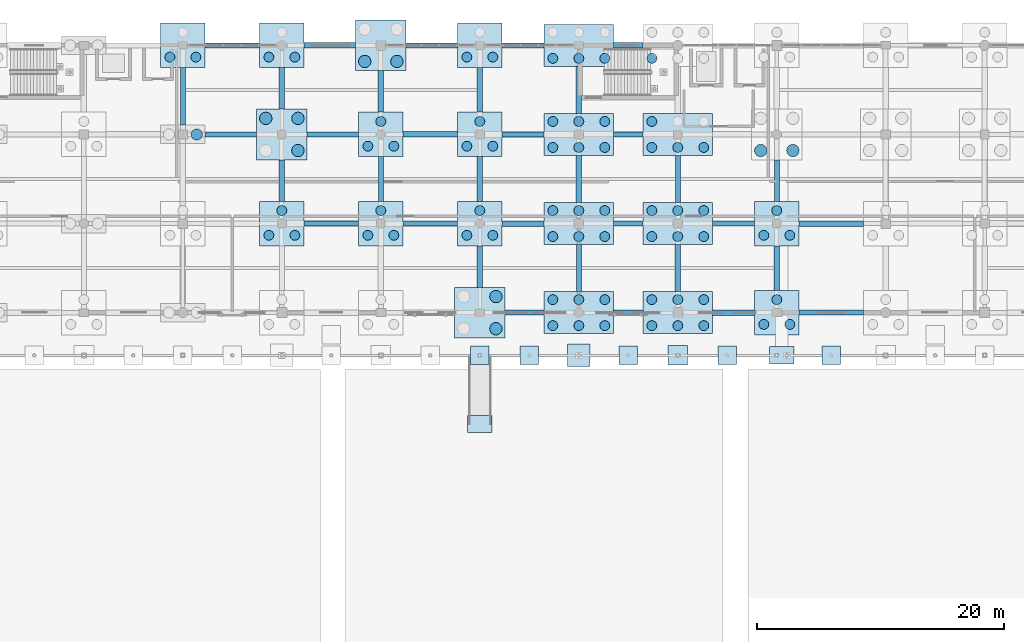
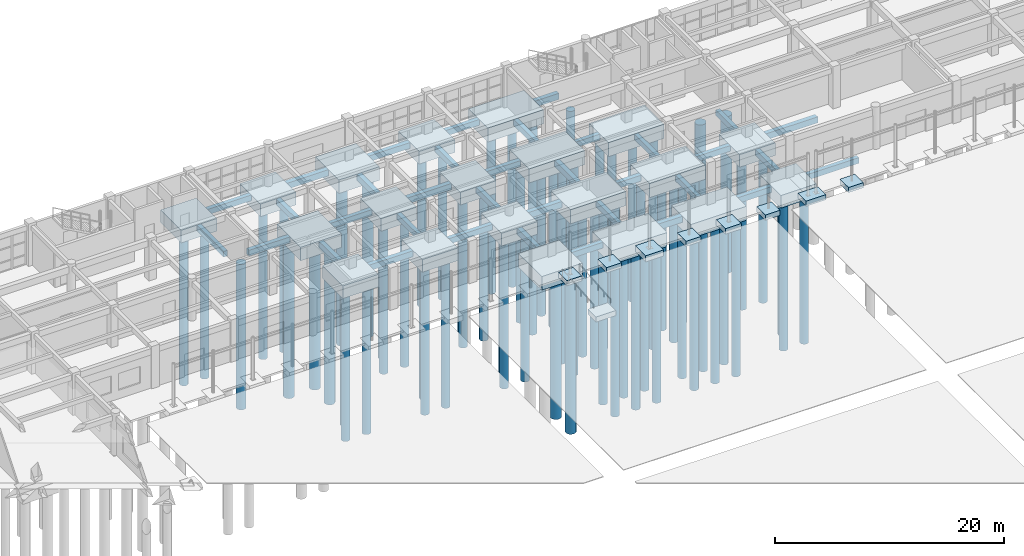
# One storey, part 5 of 166: 75 piles, 64 footings.
"""IFC4 building model written with IfcOpenShell, lengths in metres."""

from ifc_helpers import new_model, si_unit, direction, frame, origin, origin_2d, place, context, subcontext, project, spatial, rectangle, circle, extrude, material, material_profile, profile_set, type_object, element, save


model = new_model("IFC4")

# Units and contexts
model_context = context("Model", 3, precision=1e-05, world=origin(), true_north=direction((0.0, 1.0)))
body_context = subcontext(model_context, "Body", "Model", "MODEL_VIEW")
ifc_project = project(units=[si_unit("LENGTHUNIT", "METRE"), si_unit("AREAUNIT", "SQUARE_METRE"), si_unit("VOLUMEUNIT", "CUBIC_METRE"), si_unit("PLANEANGLEUNIT", "RADIAN"), si_unit("MASSUNIT", "GRAM", prefix="KILO")], contexts=[model_context])

# Site, building, storey
site_placement = place(None, origin())
site = spatial("IfcSite", under=ifc_project, at=site_placement, CompositionType="ELEMENT")
building_placement = place(site_placement, origin())
building = spatial("IfcBuilding", under=site, at=building_placement, Name="Kharva Crest Polytechnic", CompositionType="ELEMENT")
storey_placement = place(building_placement, origin())
storey = spatial("IfcBuildingStorey", under=building, at=storey_placement, Name="L00", CompositionType="ELEMENT", Elevation=0.0)

# Footings
ifc_material = material(Name="Concrete C35/45", Category="concrete")
footing_type_1 = type_object("IfcFootingType", Name="FTG-GB-400X600", PredefinedType="FOOTING_BEAM", material=ifc_material)
footing_1_placement = place(storey_placement, frame((99.625, 100.39990234375, -1.005126953125), z_axis=(0.0, 0.0, 1.0), x_axis=(1.0, 0.0, 0.0)))
element("IfcFooting", 1, at=footing_1_placement, inside=storey, type_object=footing_type_1, Name="L00 Ground Tie Beam P/13-14", PredefinedType="FOOTING_BEAM", context=body_context, shape_type="SweptSolid", body=[
    extrude(rectangle(XDim=3.14990234375, YDim=0.39990234375, at=origin_2d()), origin(), (0.0, 0.0, 1.0), 0.60009765625),
])
footing_2_placement = place(storey_placement, frame((124.39990234375, 100.39990234375, -1.005126953125), z_axis=(0.0, 0.0, 1.0), x_axis=(1.0, 0.0, 0.0)))
element("IfcFooting", 2, at=footing_2_placement, inside=storey, type_object=footing_type_1, Name="L00 Ground Tie Beam P/16-17", PredefinedType="FOOTING_BEAM", context=body_context, shape_type="SweptSolid", body=[
    extrude(rectangle(XDim=5.199951171875, YDim=0.39990234375, at=origin_2d()), origin(), (0.0, 0.0, 1.0), 0.60009765625),
])
footing_3_placement = place(storey_placement, frame((92.0, 107.60009765625, -1.005126953125), z_axis=(0.0, 0.0, 1.0), x_axis=(1.0, 0.0, 0.0)))
element("IfcFooting", 3, at=footing_3_placement, inside=storey, type_object=footing_type_1, Name="L00 Ground Tie Beam Q/12-13", PredefinedType="FOOTING_BEAM", context=body_context, shape_type="SweptSolid", body=[
    extrude(rectangle(XDim=4.39990234375, YDim=0.39990234375, at=origin_2d()), origin(), (0.0, 0.0, 1.0), 0.60009765625),
])
footing_4_placement = place(storey_placement, frame((116.5, 107.60009765625, -1.005126953125), z_axis=(0.0, 0.0, 1.0), x_axis=(1.0, 0.0, 0.0)))
element("IfcFooting", 4, at=footing_4_placement, inside=storey, type_object=footing_type_1, Name="L00 Ground Tie Beam Q/15-16", PredefinedType="FOOTING_BEAM", context=body_context, shape_type="SweptSolid", body=[
    extrude(rectangle(XDim=3.39990234375, YDim=0.39990234375, at=origin_2d()), origin(), (0.0, 0.0, 1.0), 0.60009765625),
])
footing_5_placement = place(storey_placement, frame((84.125, 114.800048828125, -1.005126953125), z_axis=(0.0, 0.0, 1.0), x_axis=(1.0, 0.0, 0.0)))
element("IfcFooting", 5, at=footing_5_placement, inside=storey, type_object=footing_type_1, Name="L00 Ground Tie Beam R/11-12", PredefinedType="FOOTING_BEAM", context=body_context, shape_type="SweptSolid", body=[
    extrude(rectangle(XDim=4.14990234375, YDim=0.39990234375, at=origin_2d()), origin(), (0.0, 0.0, 1.0), 0.60009765625),
])
footing_6_placement = place(storey_placement, frame((108.0, 114.800048828125, -1.005126953125), z_axis=(0.0, 0.0, 1.0), x_axis=(1.0, 0.0, 0.0)))
element("IfcFooting", 6, at=footing_6_placement, inside=storey, type_object=footing_type_1, Name="L00 Ground Tie Beam R/14-15", PredefinedType="FOOTING_BEAM", context=body_context, shape_type="SweptSolid", body=[
    extrude(rectangle(XDim=2.39990234375, YDim=0.39990234375, at=origin_2d()), origin(), (0.0, 0.0, 1.0), 0.60009765625),
])
footing_7_placement = place(storey_placement, frame((76.0, 122.0, -1.005126953125), z_axis=(0.0, 0.0, 1.0), x_axis=(1.0, 0.0, 0.0)))
element("IfcFooting", 7, at=footing_7_placement, inside=storey, type_object=footing_type_1, Name="L00 Ground Tie Beam S/10-11", PredefinedType="FOOTING_BEAM", context=body_context, shape_type="SweptSolid", body=[
    extrude(rectangle(XDim=4.39990234375, YDim=0.39990234375, at=origin_2d()), origin(), (0.0, 0.0, 1.0), 0.60009765625),
])
footing_8_placement = place(storey_placement, frame((99.5, 122.0, -1.005126953125), z_axis=(0.0, 0.0, 1.0), x_axis=(1.0, 0.0, 0.0)))
element("IfcFooting", 8, at=footing_8_placement, inside=storey, type_object=footing_type_1, Name="L00 Ground Tie Beam S/13-14", PredefinedType="FOOTING_BEAM", context=body_context, shape_type="SweptSolid", body=[
    extrude(rectangle(XDim=3.39990234375, YDim=0.39990234375, at=origin_2d()), origin(), (0.0, 0.0, 1.0), 0.60009765625),
])
footing_9_placement = place(storey_placement, frame((72.0, 117.875, -1.005126953125), z_axis=(0.0, 0.0, 1.0), x_axis=(0.0, 1.0, 0.0)))
element("IfcFooting", 9, at=footing_9_placement, inside=storey, type_object=footing_type_1, Name="L00 Ground Tie Beam 10/R-S", PredefinedType="FOOTING_BEAM", context=body_context, shape_type="SweptSolid", body=[
    extrude(rectangle(XDim=4.64990234375, YDim=0.39990234375, at=origin_2d()), origin(), (0.0, 0.0, 1.0), 0.60009765625),
])
for number, where, z_axis, x_axis, name in (
    (10, (88.0, 111.199951171875, -1.005126953125), (0.0, 0.0, 1.0), (0.0, 1.0, 0.0), "L00 Ground Tie Beam 12/Q-R"),
    (11, (96.0, 118.39990234375, -1.005126953125), (0.0, 0.0, 1.0), (0.0, 1.0, 0.0), "L00 Ground Tie Beam 13/R-S"),
):
    element("IfcFooting", number, at=place(storey_placement, frame(where, z_axis=z_axis, x_axis=x_axis)), inside=storey, type_object=footing_type_1, Name=name, PredefinedType="FOOTING_BEAM", context=body_context, shape_type="SweptSolid", body=[
        extrude(rectangle(XDim=3.60009765625, YDim=0.39990234375, at=origin_2d()), origin(), (0.0, 0.0, 1.0), 0.60009765625),
    ])
for number, where, z_axis, x_axis, name in (
    (12, (104.0, 104.0, -1.005126953125), (0.0, 0.0, 1.0), (0.0, 1.0, 0.0), "L00 Ground Tie Beam 14/P-Q"),
    (13, (112.0, 111.199951171875, -1.005126953125), (0.0, 0.0, 1.0), (0.0, 1.0, 0.0), "L00 Ground Tie Beam 15/Q-R"),
):
    element("IfcFooting", number, at=place(storey_placement, frame(where, z_axis=z_axis, x_axis=x_axis)), inside=storey, type_object=footing_type_1, Name=name, PredefinedType="FOOTING_BEAM", context=body_context, shape_type="SweptSolid", body=[
        extrude(rectangle(XDim=3.800048828125, YDim=0.39990234375, at=origin_2d()), origin(), (0.0, 0.0, 1.0), 0.60009765625),
    ])
footing_10_placement = place(storey_placement, frame((120.0, 111.074951171875, -1.005126953125), z_axis=(0.0, 0.0, 1.0), x_axis=(0.0, 1.0, 0.0)))
element("IfcFooting", 14, at=footing_10_placement, inside=storey, type_object=footing_type_1, Name="L00 Ground Tie Beam 16/Q-R", PredefinedType="FOOTING_BEAM", context=body_context, shape_type="SweptSolid", body=[
    extrude(rectangle(XDim=3.35009765625, YDim=0.39990234375, at=origin_2d()), origin(), (0.0, 0.0, 1.0), 0.60009765625),
])
footing_type_2 = type_object("IfcFootingType", Name="FTG-GB-420X620", PredefinedType="FOOTING_BEAM", material=ifc_material)
footing_11_placement = place(storey_placement, frame((116.5, 100.39990234375, -1.025146484375), z_axis=(0.0, 0.0, 1.0), x_axis=(1.0, 0.0, 0.0)))
element("IfcFooting", 15, at=footing_11_placement, inside=storey, type_object=footing_type_2, Name="L00 Ground Tie Beam P/15-16", PredefinedType="FOOTING_BEAM", context=body_context, shape_type="SweptSolid", body=[
    extrude(rectangle(XDim=3.39990234375, YDim=0.419921875, at=origin_2d()), origin(), (0.0, 0.0, 1.0), 0.6201171875),
])
footing_12_placement = place(storey_placement, frame((84.0, 107.60009765625, -1.025146484375), z_axis=(0.0, 0.0, 1.0), x_axis=(1.0, 0.0, 0.0)))
element("IfcFooting", 16, at=footing_12_placement, inside=storey, type_object=footing_type_2, Name="L00 Ground Tie Beam Q/11-12", PredefinedType="FOOTING_BEAM", context=body_context, shape_type="SweptSolid", body=[
    extrude(rectangle(XDim=4.39990234375, YDim=0.419921875, at=origin_2d()), origin(), (0.0, 0.0, 1.0), 0.6201171875),
])
footing_13_placement = place(storey_placement, frame((108.0, 107.60009765625, -1.025146484375), z_axis=(0.0, 0.0, 1.0), x_axis=(1.0, 0.0, 0.0)))
element("IfcFooting", 17, at=footing_13_placement, inside=storey, type_object=footing_type_2, Name="L00 Ground Tie Beam Q/14-15", PredefinedType="FOOTING_BEAM", context=body_context, shape_type="SweptSolid", body=[
    extrude(rectangle(XDim=2.39990234375, YDim=0.419921875, at=origin_2d()), origin(), (0.0, 0.0, 1.0), 0.6201171875),
])
footing_14_placement = place(storey_placement, frame((75.875, 114.800048828125, -1.025146484375), z_axis=(0.0, 0.0, 1.0), x_axis=(1.0, 0.0, 0.0)))
element("IfcFooting", 18, at=footing_14_placement, inside=storey, type_object=footing_type_2, Name="L00 Ground Tie Beam R/10-11", PredefinedType="FOOTING_BEAM", context=body_context, shape_type="SweptSolid", body=[
    extrude(rectangle(XDim=4.14990234375, YDim=0.419921875, at=origin_2d()), origin(), (0.0, 0.0, 1.0), 0.6201171875),
])
footing_15_placement = place(storey_placement, frame((99.5, 114.800048828125, -1.025146484375), z_axis=(0.0, 0.0, 1.0), x_axis=(1.0, 0.0, 0.0)))
element("IfcFooting", 19, at=footing_15_placement, inside=storey, type_object=footing_type_2, Name="L00 Ground Tie Beam R/13-14", PredefinedType="FOOTING_BEAM", context=body_context, shape_type="SweptSolid", body=[
    extrude(rectangle(XDim=3.39990234375, YDim=0.419921875, at=origin_2d()), origin(), (0.0, 0.0, 1.0), 0.6201171875),
])
footing_16_placement = place(storey_placement, frame((92.125, 122.0, -1.025146484375), z_axis=(0.0, 0.0, 1.0), x_axis=(1.0, 0.0, 0.0)))
element("IfcFooting", 20, at=footing_16_placement, inside=storey, type_object=footing_type_2, Name="L00 Ground Tie Beam S/12-13", PredefinedType="FOOTING_BEAM", context=body_context, shape_type="SweptSolid", body=[
    extrude(rectangle(XDim=4.14990234375, YDim=0.419921875, at=origin_2d()), origin(), (0.0, 0.0, 1.0), 0.6201171875),
])
footing_17_placement = place(storey_placement, frame((80.0, 118.52490234375, -1.025146484375), z_axis=(0.0, 0.0, 1.0), x_axis=(0.0, 1.0, 0.0)))
element("IfcFooting", 21, at=footing_17_placement, inside=storey, type_object=footing_type_2, Name="L00 Ground Tie Beam 11/R-S", PredefinedType="FOOTING_BEAM", context=body_context, shape_type="SweptSolid", body=[
    extrude(rectangle(XDim=3.35009765625, YDim=0.419921875, at=origin_2d()), origin(), (0.0, 0.0, 1.0), 0.6201171875),
])
footing_18_placement = place(storey_placement, frame((96.0, 111.199951171875, -1.025146484375), z_axis=(0.0, 0.0, 1.0), x_axis=(0.0, 1.0, 0.0)))
element("IfcFooting", 22, at=footing_18_placement, inside=storey, type_object=footing_type_2, Name="L00 Ground Tie Beam 13/Q-R", PredefinedType="FOOTING_BEAM", context=body_context, shape_type="SweptSolid", body=[
    extrude(rectangle(XDim=3.60009765625, YDim=0.419921875, at=origin_2d()), origin(), (0.0, 0.0, 1.0), 0.6201171875),
])
for number, where, z_axis, x_axis, name in (
    (23, (104.0, 118.39990234375, -1.025146484375), (0.0, 0.0, 1.0), (0.0, 1.0, 0.0), "L00 Ground Tie Beam 14/R-S"),
    (24, (112.0, 104.0, -1.025146484375), (0.0, 0.0, 1.0), (0.0, 1.0, 0.0), "L00 Ground Tie Beam 15/P-Q"),
):
    element("IfcFooting", number, at=place(storey_placement, frame(where, z_axis=z_axis, x_axis=x_axis)), inside=storey, type_object=footing_type_2, Name=name, PredefinedType="FOOTING_BEAM", context=body_context, shape_type="SweptSolid", body=[
        extrude(rectangle(XDim=3.800048828125, YDim=0.419921875, at=origin_2d()), origin(), (0.0, 0.0, 1.0), 0.6201171875),
    ])
footing_19_placement = place(storey_placement, frame((120.0, 104.0, -1.025146484375), z_axis=(0.0, 0.0, 1.0), x_axis=(0.0, 1.0, 0.0)))
element("IfcFooting", 25, at=footing_19_placement, inside=storey, type_object=footing_type_2, Name="L00 Ground Tie Beam 16/P-Q", PredefinedType="FOOTING_BEAM", context=body_context, shape_type="SweptSolid", body=[
    extrude(rectangle(XDim=3.60009765625, YDim=0.419921875, at=origin_2d()), origin(), (0.0, 0.0, 1.0), 0.6201171875),
])
footing_type_3 = type_object("IfcFootingType", Name="FTG-GB-450X650", PredefinedType="FOOTING_BEAM", material=ifc_material)
footing_20_placement = place(storey_placement, frame((108.0, 100.39990234375, -1.054931640625), z_axis=(0.0, 0.0, 1.0), x_axis=(1.0, 0.0, 0.0)))
element("IfcFooting", 26, at=footing_20_placement, inside=storey, type_object=footing_type_3, Name="L00 Ground Tie Beam P/14-15", PredefinedType="FOOTING_BEAM", context=body_context, shape_type="SweptSolid", body=[
    extrude(rectangle(XDim=2.39990234375, YDim=0.449951171875, at=origin_2d()), origin(), (0.0, 0.0, 1.0), 0.64990234375),
])
footing_21_placement = place(storey_placement, frame((99.5, 107.60009765625, -1.054931640625), z_axis=(0.0, 0.0, 1.0), x_axis=(1.0, 0.0, 0.0)))
element("IfcFooting", 27, at=footing_21_placement, inside=storey, type_object=footing_type_3, Name="L00 Ground Tie Beam Q/13-14", PredefinedType="FOOTING_BEAM", context=body_context, shape_type="SweptSolid", body=[
    extrude(rectangle(XDim=3.39990234375, YDim=0.449951171875, at=origin_2d()), origin(), (0.0, 0.0, 1.0), 0.64990234375),
])
footing_22_placement = place(storey_placement, frame((124.39990234375, 107.60009765625, -1.054931640625), z_axis=(0.0, 0.0, 1.0), x_axis=(1.0, 0.0, 0.0)))
element("IfcFooting", 28, at=footing_22_placement, inside=storey, type_object=footing_type_3, Name="L00 Ground Tie Beam Q/16-17", PredefinedType="FOOTING_BEAM", context=body_context, shape_type="SweptSolid", body=[
    extrude(rectangle(XDim=5.199951171875, YDim=0.449951171875, at=origin_2d()), origin(), (0.0, 0.0, 1.0), 0.64990234375),
])
footing_23_placement = place(storey_placement, frame((92.0, 114.800048828125, -1.054931640625), z_axis=(0.0, 0.0, 1.0), x_axis=(1.0, 0.0, 0.0)))
element("IfcFooting", 29, at=footing_23_placement, inside=storey, type_object=footing_type_3, Name="L00 Ground Tie Beam R/12-13", PredefinedType="FOOTING_BEAM", context=body_context, shape_type="SweptSolid", body=[
    extrude(rectangle(XDim=4.39990234375, YDim=0.449951171875, at=origin_2d()), origin(), (0.0, 0.0, 1.0), 0.64990234375),
])
footing_24_placement = place(storey_placement, frame((83.875, 122.0, -1.054931640625), z_axis=(0.0, 0.0, 1.0), x_axis=(1.0, 0.0, 0.0)))
element("IfcFooting", 30, at=footing_24_placement, inside=storey, type_object=footing_type_3, Name="L00 Ground Tie Beam S/11-12", PredefinedType="FOOTING_BEAM", context=body_context, shape_type="SweptSolid", body=[
    extrude(rectangle(XDim=4.14990234375, YDim=0.449951171875, at=origin_2d()), origin(), (0.0, 0.0, 1.0), 0.64990234375),
])
footing_25_placement = place(storey_placement, frame((108.0, 122.0, -1.054931640625), z_axis=(0.0, 0.0, 1.0), x_axis=(1.0, 0.0, 0.0)))
element("IfcFooting", 31, at=footing_25_placement, inside=storey, type_object=footing_type_3, Name="L00 Ground Tie Beam S/14-15", PredefinedType="FOOTING_BEAM", context=body_context, shape_type="SweptSolid", body=[
    extrude(rectangle(XDim=2.39990234375, YDim=0.449951171875, at=origin_2d()), origin(), (0.0, 0.0, 1.0), 0.64990234375),
])
for number, where, z_axis, x_axis, name in (
    (32, (80.0, 111.074951171875, -1.054931640625), (0.0, 0.0, 1.0), (0.0, 1.0, 0.0), "L00 Ground Tie Beam 11/Q-R"),
    (33, (88.0, 118.27490234375, -1.054931640625), (0.0, 0.0, 1.0), (0.0, 1.0, 0.0), "L00 Ground Tie Beam 12/R-S"),
    (34, (96.0, 104.125, -1.054931640625), (0.0, 0.0, 1.0), (0.0, 1.0, 0.0), "L00 Ground Tie Beam 13/P-Q"),
):
    element("IfcFooting", number, at=place(storey_placement, frame(where, z_axis=z_axis, x_axis=x_axis)), inside=storey, type_object=footing_type_3, Name=name, PredefinedType="FOOTING_BEAM", context=body_context, shape_type="SweptSolid", body=[
        extrude(rectangle(XDim=3.35009765625, YDim=0.449951171875, at=origin_2d()), origin(), (0.0, 0.0, 1.0), 0.64990234375),
    ])
footing_26_placement = place(storey_placement, frame((104.0, 111.199951171875, -1.054931640625), z_axis=(0.0, 0.0, 1.0), x_axis=(0.0, 1.0, 0.0)))
element("IfcFooting", 35, at=footing_26_placement, inside=storey, type_object=footing_type_3, Name="L00 Ground Tie Beam 14/Q-R", PredefinedType="FOOTING_BEAM", context=body_context, shape_type="SweptSolid", body=[
    extrude(rectangle(XDim=3.800048828125, YDim=0.449951171875, at=origin_2d()), origin(), (0.0, 0.0, 1.0), 0.64990234375),
])
footing_type_4 = type_object("IfcFootingType", Name="FTG-PAD-1500X1500", PredefinedType="PAD_FOOTING", material=ifc_material)
for number, where, z_axis, x_axis, name in (
    (36, (96.0, 96.949951171875, -0.5498046875), (0.0, 0.0, 1.0), (1.0, 0.0, 0.0), "L00 Colonnade Pad Footing VN06"),
    (37, (100.0, 96.949951171875, -0.5498046875), (0.0, 0.0, 1.0), (1.0, 0.0, 0.0), "L00 Colonnade Mid Pad Footing VNM06"),
    (38, (108.0, 96.949951171875, -0.5498046875), (0.0, 0.0, 1.0), (1.0, 0.0, 0.0), "L00 Colonnade Mid Pad Footing VNM07"),
    (39, (116.0, 96.949951171875, -0.5498046875), (0.0, 0.0, 1.0), (1.0, 0.0, 0.0), "L00 Colonnade Mid Pad Footing VNM08"),
    (40, (124.39990234375, 96.949951171875, -0.5498046875), (0.0, 0.0, 1.0), (1.0, 0.0, 0.0), "L00 Colonnade Mid Pad Footing VNM09"),
):
    element("IfcFooting", number, at=place(storey_placement, frame(where, z_axis=z_axis, x_axis=x_axis)), inside=storey, type_object=footing_type_4, Name=name, PredefinedType="PAD_FOOTING", context=body_context, shape_type="SweptSolid", body=[
        extrude(rectangle(XDim=1.5, YDim=1.5, at=origin_2d()), origin(), (0.0, 0.0, 1.0), 0.550048828125),
    ])
footing_type_5 = type_object("IfcFootingType", Name="FTG-PAD-1600X1600", PredefinedType="PAD_FOOTING", material=ifc_material)
footing_27_placement = place(storey_placement, frame((112.0, 96.949951171875, -0.60009765625), z_axis=(0.0, 0.0, 1.0), x_axis=(1.0, 0.0, 0.0)))
element("IfcFooting", 41, at=footing_27_placement, inside=storey, type_object=footing_type_5, Name="L00 Colonnade Pad Footing VN08", PredefinedType="PAD_FOOTING", context=body_context, shape_type="SweptSolid", body=[
    extrude(rectangle(XDim=1.60009765625, YDim=1.60009765625, at=origin_2d()), origin(), (0.0, 0.0, 1.0), 0.60009765625),
])
footing_type_6 = type_object("IfcFootingType", Name="FTG-PAD-1800X1800", PredefinedType="PAD_FOOTING", material=ifc_material)
footing_28_placement = place(storey_placement, frame((104.0, 96.949951171875, -0.64990234375), z_axis=(0.0, 0.0, 1.0), x_axis=(1.0, 0.0, 0.0)))
element("IfcFooting", 42, at=footing_28_placement, inside=storey, type_object=footing_type_6, Name="L00 Colonnade Pad Footing VN07", PredefinedType="PAD_FOOTING", context=body_context, shape_type="SweptSolid", body=[
    extrude(rectangle(XDim=1.800048828125, YDim=1.800048828125, at=origin_2d()), origin(), (0.0, 0.0, 1.0), 0.64990234375),
])
footing_type_7 = type_object("IfcFootingType", Name="FTG-PAD-2000X1400", PredefinedType="PAD_FOOTING", material=ifc_material)
for number, where, z_axis, x_axis, name in (
    (43, (96.0, 91.39990234375, -1.0), (0.0, 0.0, 1.0), (1.0, 0.0, 0.0), "L00 Ramp Toe Pad Footing RMP-CT-N"),
    (44, (120.39990234375, 96.949951171875, -0.5498046875), (0.0, 0.0, 1.0), (1.0, 0.0, 0.0), "L00 Colonnade Combined Pad Footing VN09"),
):
    element("IfcFooting", number, at=place(storey_placement, frame(where, z_axis=z_axis, x_axis=x_axis)), inside=storey, type_object=footing_type_7, Name=name, PredefinedType="PAD_FOOTING", context=body_context, shape_type="SweptSolid", body=[
        extrude(rectangle(XDim=2.0, YDim=1.39990234375, at=origin_2d()), origin(), (0.0, 0.0, 1.0), 0.550048828125),
    ])
footing_type_8 = type_object("IfcFootingType", Name="FTG-PC-3600X3600", PredefinedType="PILE_CAP", material=ifc_material)
for number, where, z_axis, x_axis, name in (
    (45, (72.0, 122.0, -1.755126953125), (0.0, 0.0, 1.0), (1.0, 0.0, 0.0), "L00 Pile Cap 10/S"),
    (46, (80.0, 107.60009765625, -1.755126953125), (0.0, 0.0, 1.0), (1.0, 0.0, 0.0), "L00 Pile Cap 11/Q"),
    (47, (80.0, 122.0, -1.755126953125), (0.0, 0.0, 1.0), (1.0, 0.0, 0.0), "L00 Pile Cap 11/S"),
    (48, (88.0, 107.60009765625, -1.755126953125), (0.0, 0.0, 1.0), (1.0, 0.0, 0.0), "L00 Pile Cap 12/Q"),
    (49, (88.0, 114.800048828125, -1.755126953125), (0.0, 0.0, 1.0), (1.0, 0.0, 0.0), "L00 Pile Cap 12/R"),
    (50, (96.0, 107.60009765625, -1.755126953125), (0.0, 0.0, 1.0), (1.0, 0.0, 0.0), "L00 Pile Cap 13/Q"),
    (51, (96.0, 114.800048828125, -1.755126953125), (0.0, 0.0, 1.0), (1.0, 0.0, 0.0), "L00 Pile Cap 13/R"),
    (52, (96.0, 122.0, -1.755126953125), (0.0, 0.0, 1.0), (1.0, 0.0, 0.0), "L00 Pile Cap 13/S"),
    (53, (120.0, 100.39990234375, -1.755126953125), (0.0, 0.0, 1.0), (1.0, 0.0, 0.0), "L00 Pile Cap 16/P"),
    (54, (120.0, 107.60009765625, -1.755126953125), (0.0, 0.0, 1.0), (1.0, 0.0, 0.0), "L00 Pile Cap 16/Q"),
):
    element("IfcFooting", number, at=place(storey_placement, frame(where, z_axis=z_axis, x_axis=x_axis)), inside=storey, type_object=footing_type_8, Name=name, PredefinedType="PILE_CAP", context=body_context, shape_type="SweptSolid", body=[
        extrude(rectangle(XDim=3.60009765625, YDim=3.60009765625, at=origin_2d()), origin(), (0.0, 0.0, 1.0), 1.35009765625),
    ])
footing_type_9 = type_object("IfcFootingType", Name="FTG-PC-4100X4100", PredefinedType="PILE_CAP", material=ifc_material)
for number, where, z_axis, x_axis, name in (
    (55, (80.0, 114.800048828125, -1.85498046875), (0.0, 0.0, 1.0), (1.0, 0.0, 0.0), "L00 Pile Cap 11/R"),
    (56, (88.0, 122.0, -1.85498046875), (0.0, 0.0, 1.0), (1.0, 0.0, 0.0), "L00 Pile Cap 12/S"),
    (57, (96.0, 100.39990234375, -1.85498046875), (0.0, 0.0, 1.0), (1.0, 0.0, 0.0), "L00 Pile Cap 13/P"),
):
    element("IfcFooting", number, at=place(storey_placement, frame(where, z_axis=z_axis, x_axis=x_axis)), inside=storey, type_object=footing_type_9, Name=name, PredefinedType="PILE_CAP", context=body_context, shape_type="SweptSolid", body=[
        extrude(rectangle(XDim=4.10009765625, YDim=4.10009765625, at=origin_2d()), origin(), (0.0, 0.0, 1.0), 1.449951171875),
    ])
footing_type_10 = type_object("IfcFootingType", Name="FTG-PC-5600X3400", PredefinedType="PILE_CAP", material=ifc_material)
for number, where, z_axis, x_axis, name in (
    (58, (104.0, 100.39990234375, -1.905029296875), (0.0, 0.0, 1.0), (1.0, 0.0, 0.0), "L00 Pile Cap 14/P"),
    (59, (104.0, 107.60009765625, -1.905029296875), (0.0, 0.0, 1.0), (1.0, 0.0, 0.0), "L00 Pile Cap 14/Q"),
    (60, (104.0, 114.800048828125, -1.905029296875), (0.0, 0.0, 1.0), (1.0, 0.0, 0.0), "L00 Pile Cap 14/R"),
    (61, (104.0, 122.0, -1.905029296875), (0.0, 0.0, 1.0), (1.0, 0.0, 0.0), "L00 Pile Cap 14/S"),
    (62, (112.0, 100.39990234375, -1.905029296875), (0.0, 0.0, 1.0), (1.0, 0.0, 0.0), "L00 Pile Cap 15/P"),
    (63, (112.0, 107.60009765625, -1.905029296875), (0.0, 0.0, 1.0), (1.0, 0.0, 0.0), "L00 Pile Cap 15/Q"),
    (64, (112.0, 114.800048828125, -1.905029296875), (0.0, 0.0, 1.0), (1.0, 0.0, 0.0), "L00 Pile Cap 15/R"),
):
    element("IfcFooting", number, at=place(storey_placement, frame(where, z_axis=z_axis, x_axis=x_axis)), inside=storey, type_object=footing_type_10, Name=name, PredefinedType="PILE_CAP", context=body_context, shape_type="SweptSolid", body=[
        extrude(rectangle(XDim=5.60009765625, YDim=3.39990234375, at=origin_2d()), origin(), (0.0, 0.0, 1.0), 1.5),
    ])

# Piles
ifc_material_profile_1 = material_profile(ifc_material, circle(Radius=0.5, at=origin_2d()), Name="DIA 1000")
ifc_profile_set_1 = profile_set([ifc_material_profile_1], Name="Concrete C35/45")
pile_type_1 = type_object("IfcPileType", Name="PILE-BORED-1000", PredefinedType="BORED", material=ifc_profile_set_1)
for number, where, z_axis, x_axis, name in (
    (65, (81.300048828125, 113.5, -1.7548828125), (0.0, 0.0, -1.0), (1.0, 0.0, 0.0), "L00 Bored Pile 11/R-2"),
    (66, (78.699951171875, 116.10009765625, -1.7548828125), (0.0, 0.0, -1.0), (1.0, 0.0, 0.0), "L00 Bored Pile 11/R-3"),
    (67, (81.300048828125, 116.10009765625, -1.7548828125), (0.0, 0.0, -1.0), (1.0, 0.0, 0.0), "L00 Bored Pile 11/R-4"),
    (68, (86.699951171875, 120.699951171875, -1.7548828125), (0.0, 0.0, -1.0), (1.0, 0.0, 0.0), "L00 Bored Pile 12/S-1"),
    (69, (89.300048828125, 120.699951171875, -1.7548828125), (0.0, 0.0, -1.0), (1.0, 0.0, 0.0), "L00 Bored Pile 12/S-2"),
    (70, (97.300048828125, 99.10009765625, -1.7548828125), (0.0, 0.0, -1.0), (1.0, 0.0, 0.0), "L00 Bored Pile 13/P-2"),
    (71, (97.300048828125, 101.699951171875, -1.7548828125), (0.0, 0.0, -1.0), (1.0, 0.0, 0.0), "L00 Bored Pile 13/P-4"),
    (72, (118.699951171875, 113.5, -1.7548828125), (0.0, 0.0, -1.0), (1.0, 0.0, 0.0), "L00 Bored Pile 16/R-1"),
    (73, (121.300048828125, 113.5, -1.7548828125), (0.0, 0.0, -1.0), (1.0, 0.0, 0.0), "L00 Bored Pile 16/R-2"),
):
    element("IfcPile", number, at=place(storey_placement, frame(where, z_axis=z_axis, x_axis=x_axis)), inside=storey, type_object=pile_type_1, Name=name, PredefinedType="BORED", context=body_context, shape_type="SweptSolid", body=[
        extrude(circle(Radius=0.5, at=origin_2d()), origin(), (0.0, 0.0, 1.0), 16.7451171875),
    ])
ifc_material_profile_2 = material_profile(ifc_material, circle(Radius=0.39990234375, at=origin_2d()), Name="DIA 800")
ifc_profile_set_2 = profile_set([ifc_material_profile_2], Name="Concrete C35/45")
pile_type_2 = type_object("IfcPileType", Name="PILE-BORED-800", PredefinedType="BORED", material=ifc_profile_set_2)
for number, where, z_axis, x_axis, name in (
    (74, (70.949951171875, 121.050048828125, -1.655029296875), (0.0, 0.0, -1.0), (1.0, 0.0, 0.0), "L00 Bored Pile 10/S-1"),
    (75, (73.050048828125, 121.050048828125, -1.655029296875), (0.0, 0.0, -1.0), (1.0, 0.0, 0.0), "L00 Bored Pile 10/S-2"),
    (76, (78.949951171875, 106.64990234375, -1.655029296875), (0.0, 0.0, -1.0), (1.0, 0.0, 0.0), "L00 Bored Pile 11/Q-1"),
    (77, (81.050048828125, 106.64990234375, -1.655029296875), (0.0, 0.0, -1.0), (1.0, 0.0, 0.0), "L00 Bored Pile 11/Q-2"),
    (78, (80.0, 108.64990234375, -1.655029296875), (0.0, 0.0, -1.0), (1.0, 0.0, 0.0), "L00 Bored Pile 11/Q-3"),
    (79, (78.949951171875, 121.050048828125, -1.655029296875), (0.0, 0.0, -1.0), (1.0, 0.0, 0.0), "L00 Bored Pile 11/S-1"),
    (80, (81.050048828125, 121.050048828125, -1.655029296875), (0.0, 0.0, -1.0), (1.0, 0.0, 0.0), "L00 Bored Pile 11/S-2"),
    (81, (86.949951171875, 106.64990234375, -1.655029296875), (0.0, 0.0, -1.0), (1.0, 0.0, 0.0), "L00 Bored Pile 12/Q-1"),
    (82, (89.050048828125, 106.64990234375, -1.655029296875), (0.0, 0.0, -1.0), (1.0, 0.0, 0.0), "L00 Bored Pile 12/Q-2"),
    (83, (88.0, 108.64990234375, -1.655029296875), (0.0, 0.0, -1.0), (1.0, 0.0, 0.0), "L00 Bored Pile 12/Q-3"),
    (84, (86.949951171875, 113.85009765625, -1.655029296875), (0.0, 0.0, -1.0), (1.0, 0.0, 0.0), "L00 Bored Pile 12/R-1"),
    (85, (89.050048828125, 113.85009765625, -1.655029296875), (0.0, 0.0, -1.0), (1.0, 0.0, 0.0), "L00 Bored Pile 12/R-2"),
    (86, (88.0, 115.85009765625, -1.655029296875), (0.0, 0.0, -1.0), (1.0, 0.0, 0.0), "L00 Bored Pile 12/R-3"),
    (87, (94.949951171875, 106.64990234375, -1.655029296875), (0.0, 0.0, -1.0), (1.0, 0.0, 0.0), "L00 Bored Pile 13/Q-1"),
    (88, (97.050048828125, 106.64990234375, -1.655029296875), (0.0, 0.0, -1.0), (1.0, 0.0, 0.0), "L00 Bored Pile 13/Q-2"),
    (89, (96.0, 108.64990234375, -1.655029296875), (0.0, 0.0, -1.0), (1.0, 0.0, 0.0), "L00 Bored Pile 13/Q-3"),
    (90, (94.949951171875, 113.85009765625, -1.655029296875), (0.0, 0.0, -1.0), (1.0, 0.0, 0.0), "L00 Bored Pile 13/R-1"),
    (91, (97.050048828125, 113.85009765625, -1.655029296875), (0.0, 0.0, -1.0), (1.0, 0.0, 0.0), "L00 Bored Pile 13/R-2"),
    (92, (96.0, 115.85009765625, -1.655029296875), (0.0, 0.0, -1.0), (1.0, 0.0, 0.0), "L00 Bored Pile 13/R-3"),
    (93, (94.949951171875, 121.050048828125, -1.655029296875), (0.0, 0.0, -1.0), (1.0, 0.0, 0.0), "L00 Bored Pile 13/S-1"),
    (94, (97.050048828125, 121.050048828125, -1.655029296875), (0.0, 0.0, -1.0), (1.0, 0.0, 0.0), "L00 Bored Pile 13/S-2"),
):
    element("IfcPile", number, at=place(storey_placement, frame(where, z_axis=z_axis, x_axis=x_axis)), inside=storey, type_object=pile_type_2, Name=name, PredefinedType="BORED", context=body_context, shape_type="SweptSolid", body=[
        extrude(circle(Radius=0.39990234375, at=origin_2d()), origin(), (0.0, 0.0, 1.0), 15.844970703125),
    ])
for number, where, z_axis, x_axis, name in (
    (95, (101.89990234375, 99.35009765625, -1.804931640625), (0.0, 0.0, -1.0), (1.0, 0.0, 0.0), "L00 Bored Pile 14/P-1"),
    (96, (104.0, 99.35009765625, -1.804931640625), (0.0, 0.0, -1.0), (1.0, 0.0, 0.0), "L00 Bored Pile 14/P-2"),
    (97, (106.10009765625, 99.35009765625, -1.804931640625), (0.0, 0.0, -1.0), (1.0, 0.0, 0.0), "L00 Bored Pile 14/P-3"),
    (98, (101.89990234375, 101.449951171875, -1.804931640625), (0.0, 0.0, -1.0), (1.0, 0.0, 0.0), "L00 Bored Pile 14/P-4"),
    (99, (104.0, 101.449951171875, -1.804931640625), (0.0, 0.0, -1.0), (1.0, 0.0, 0.0), "L00 Bored Pile 14/P-5"),
    (100, (106.10009765625, 101.449951171875, -1.804931640625), (0.0, 0.0, -1.0), (1.0, 0.0, 0.0), "L00 Bored Pile 14/P-6"),
    (101, (101.89990234375, 106.550048828125, -1.804931640625), (0.0, 0.0, -1.0), (1.0, 0.0, 0.0), "L00 Bored Pile 14/Q-1"),
    (102, (104.0, 106.550048828125, -1.804931640625), (0.0, 0.0, -1.0), (1.0, 0.0, 0.0), "L00 Bored Pile 14/Q-2"),
    (103, (106.10009765625, 106.550048828125, -1.804931640625), (0.0, 0.0, -1.0), (1.0, 0.0, 0.0), "L00 Bored Pile 14/Q-3"),
    (104, (101.89990234375, 108.64990234375, -1.804931640625), (0.0, 0.0, -1.0), (1.0, 0.0, 0.0), "L00 Bored Pile 14/Q-4"),
    (105, (104.0, 108.64990234375, -1.804931640625), (0.0, 0.0, -1.0), (1.0, 0.0, 0.0), "L00 Bored Pile 14/Q-5"),
    (106, (106.10009765625, 108.64990234375, -1.804931640625), (0.0, 0.0, -1.0), (1.0, 0.0, 0.0), "L00 Bored Pile 14/Q-6"),
    (107, (101.89990234375, 113.75, -1.804931640625), (0.0, 0.0, -1.0), (1.0, 0.0, 0.0), "L00 Bored Pile 14/R-1"),
    (108, (104.0, 113.75, -1.804931640625), (0.0, 0.0, -1.0), (1.0, 0.0, 0.0), "L00 Bored Pile 14/R-2"),
    (109, (106.10009765625, 113.75, -1.804931640625), (0.0, 0.0, -1.0), (1.0, 0.0, 0.0), "L00 Bored Pile 14/R-3"),
    (110, (101.89990234375, 115.85009765625, -1.804931640625), (0.0, 0.0, -1.0), (1.0, 0.0, 0.0), "L00 Bored Pile 14/R-4"),
    (111, (104.0, 115.85009765625, -1.804931640625), (0.0, 0.0, -1.0), (1.0, 0.0, 0.0), "L00 Bored Pile 14/R-5"),
    (112, (106.10009765625, 115.85009765625, -1.804931640625), (0.0, 0.0, -1.0), (1.0, 0.0, 0.0), "L00 Bored Pile 14/R-6"),
    (113, (101.89990234375, 120.949951171875, -1.804931640625), (0.0, 0.0, -1.0), (1.0, 0.0, 0.0), "L00 Bored Pile 14/S-1"),
    (114, (104.0, 120.949951171875, -1.804931640625), (0.0, 0.0, -1.0), (1.0, 0.0, 0.0), "L00 Bored Pile 14/S-2"),
    (115, (106.10009765625, 120.949951171875, -1.804931640625), (0.0, 0.0, -1.0), (1.0, 0.0, 0.0), "L00 Bored Pile 14/S-3"),
    (116, (109.89990234375, 99.35009765625, -1.804931640625), (0.0, 0.0, -1.0), (1.0, 0.0, 0.0), "L00 Bored Pile 15/P-1"),
    (117, (112.0, 99.35009765625, -1.804931640625), (0.0, 0.0, -1.0), (1.0, 0.0, 0.0), "L00 Bored Pile 15/P-2"),
    (118, (114.10009765625, 99.35009765625, -1.804931640625), (0.0, 0.0, -1.0), (1.0, 0.0, 0.0), "L00 Bored Pile 15/P-3"),
    (119, (109.89990234375, 101.449951171875, -1.804931640625), (0.0, 0.0, -1.0), (1.0, 0.0, 0.0), "L00 Bored Pile 15/P-4"),
    (120, (112.0, 101.449951171875, -1.804931640625), (0.0, 0.0, -1.0), (1.0, 0.0, 0.0), "L00 Bored Pile 15/P-5"),
    (121, (114.10009765625, 101.449951171875, -1.804931640625), (0.0, 0.0, -1.0), (1.0, 0.0, 0.0), "L00 Bored Pile 15/P-6"),
    (122, (109.89990234375, 106.550048828125, -1.804931640625), (0.0, 0.0, -1.0), (1.0, 0.0, 0.0), "L00 Bored Pile 15/Q-1"),
    (123, (112.0, 106.550048828125, -1.804931640625), (0.0, 0.0, -1.0), (1.0, 0.0, 0.0), "L00 Bored Pile 15/Q-2"),
    (124, (114.10009765625, 106.550048828125, -1.804931640625), (0.0, 0.0, -1.0), (1.0, 0.0, 0.0), "L00 Bored Pile 15/Q-3"),
    (125, (109.89990234375, 108.64990234375, -1.804931640625), (0.0, 0.0, -1.0), (1.0, 0.0, 0.0), "L00 Bored Pile 15/Q-4"),
    (126, (112.0, 108.64990234375, -1.804931640625), (0.0, 0.0, -1.0), (1.0, 0.0, 0.0), "L00 Bored Pile 15/Q-5"),
    (127, (114.10009765625, 108.64990234375, -1.804931640625), (0.0, 0.0, -1.0), (1.0, 0.0, 0.0), "L00 Bored Pile 15/Q-6"),
    (128, (109.89990234375, 113.75, -1.804931640625), (0.0, 0.0, -1.0), (1.0, 0.0, 0.0), "L00 Bored Pile 15/R-1"),
    (129, (112.0, 113.75, -1.804931640625), (0.0, 0.0, -1.0), (1.0, 0.0, 0.0), "L00 Bored Pile 15/R-2"),
    (130, (114.10009765625, 113.75, -1.804931640625), (0.0, 0.0, -1.0), (1.0, 0.0, 0.0), "L00 Bored Pile 15/R-3"),
    (131, (109.89990234375, 115.85009765625, -1.804931640625), (0.0, 0.0, -1.0), (1.0, 0.0, 0.0), "L00 Bored Pile 15/R-4"),
    (132, (109.89990234375, 120.949951171875, -1.804931640625), (0.0, 0.0, -1.0), (1.0, 0.0, 0.0), "L00 Bored Pile 15/S-1"),
):
    element("IfcPile", number, at=place(storey_placement, frame(where, z_axis=z_axis, x_axis=x_axis)), inside=storey, type_object=pile_type_2, Name=name, PredefinedType="BORED", context=body_context, shape_type="SweptSolid", body=[
        extrude(circle(Radius=0.39990234375, at=origin_2d()), origin(), (0.0, 0.0, 1.0), 16.695068359375),
    ])
for number, where, z_axis, x_axis, name in (
    (133, (118.949951171875, 99.449951171875, -1.655029296875), (0.0, 0.0, -1.0), (1.0, 0.0, 0.0), "L00 Bored Pile 16/P-1"),
    (134, (121.050048828125, 99.449951171875, -1.655029296875), (0.0, 0.0, -1.0), (1.0, 0.0, 0.0), "L00 Bored Pile 16/P-2"),
    (135, (120.0, 101.449951171875, -1.655029296875), (0.0, 0.0, -1.0), (1.0, 0.0, 0.0), "L00 Bored Pile 16/P-3"),
    (136, (118.949951171875, 106.64990234375, -1.655029296875), (0.0, 0.0, -1.0), (1.0, 0.0, 0.0), "L00 Bored Pile 16/Q-1"),
    (137, (121.050048828125, 106.64990234375, -1.655029296875), (0.0, 0.0, -1.0), (1.0, 0.0, 0.0), "L00 Bored Pile 16/Q-2"),
    (138, (120.0, 108.64990234375, -1.655029296875), (0.0, 0.0, -1.0), (1.0, 0.0, 0.0), "L00 Bored Pile 16/Q-3"),
):
    element("IfcPile", number, at=place(storey_placement, frame(where, z_axis=z_axis, x_axis=x_axis)), inside=storey, type_object=pile_type_2, Name=name, PredefinedType="BORED", context=body_context, shape_type="SweptSolid", body=[
        extrude(circle(Radius=0.39990234375, at=origin_2d()), origin(), (0.0, 0.0, 1.0), 15.844970703125),
    ])
ifc_material_profile_3 = material_profile(ifc_material, circle(Radius=0.449951171875, at=origin_2d()), Name="DIA 900")
ifc_profile_set_3 = profile_set([ifc_material_profile_3], Name="Concrete C35/45")
pile_type_3 = type_object("IfcPileType", Name="PILE-BORED-900", PredefinedType="BORED", material=ifc_profile_set_3)
pile_placement = place(storey_placement, frame((73.125, 114.800048828125, -1.5048828125), z_axis=(0.0, 0.0, -1.0), x_axis=(1.0, 0.0, 0.0)))
element("IfcPile", 139, at=pile_placement, inside=storey, type_object=pile_type_3, Name="L00 Bored Pile 10/R-2", PredefinedType="BORED", context=body_context, shape_type="SweptSolid", body=[
    extrude(circle(Radius=0.449951171875, at=origin_2d()), origin(), (0.0, 0.0, 1.0), 15.4951171875),
])

save(model, "model.ifc")
